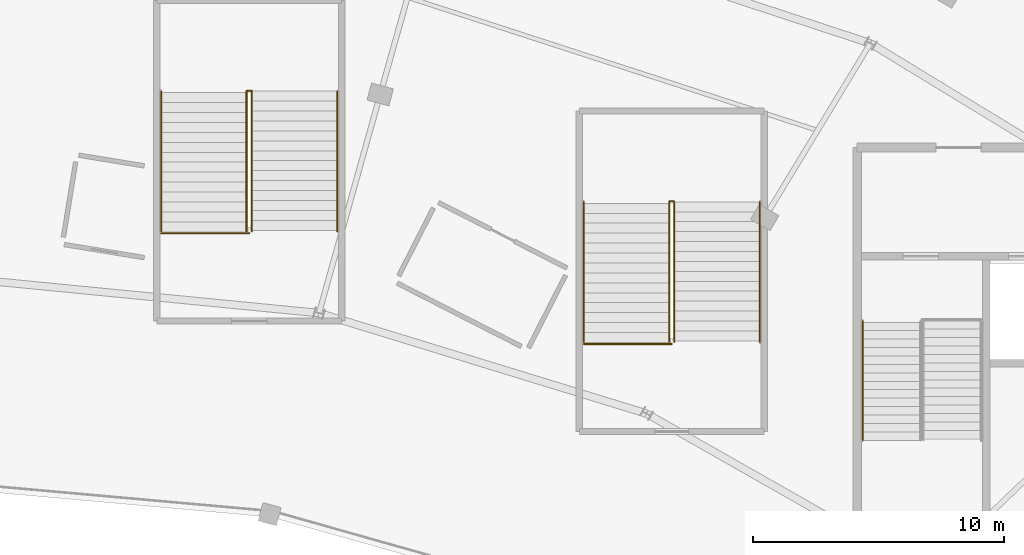
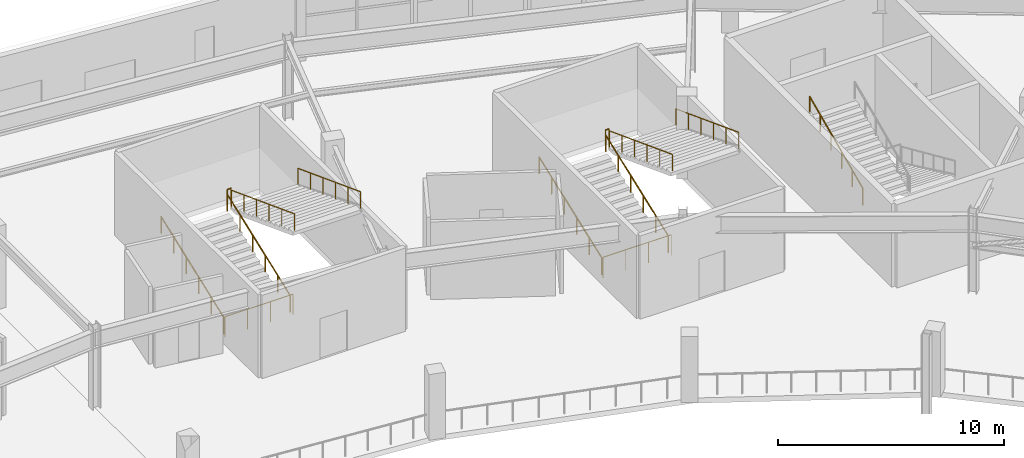
# One storey, part 117 of 123: 13 railings.
"""IFC4 building model written with IfcOpenShell, lengths in metres."""

from ifc_helpers import new_model, si_unit, direction, frame, origin, origin_2d, place, context, subcontext, project, spatial, circle, extrude, material, type_object, element, save


model = new_model("IFC4")

# Units and contexts
model_context = context("Model", 3, precision=1e-05, world=origin(), true_north=direction((0.0, 1.0)))
body_context = subcontext(model_context, "Body", "Model", "MODEL_VIEW")
ifc_project = project(units=[si_unit("LENGTHUNIT", "METRE"), si_unit("AREAUNIT", "SQUARE_METRE"), si_unit("VOLUMEUNIT", "CUBIC_METRE"), si_unit("PLANEANGLEUNIT", "RADIAN"), si_unit("MASSUNIT", "GRAM", prefix="KILO")], contexts=[model_context])

# Site, building, storey
site_placement = place(None, origin())
site = spatial("IfcSite", under=ifc_project, at=site_placement, CompositionType="ELEMENT")
building_placement = place(site_placement, origin())
building = spatial("IfcBuilding", under=site, at=building_placement, Name="Kalgoora Escarpment Arena", CompositionType="ELEMENT")
storey_placement = place(building_placement, frame((0.0, 0.0, 9.89990234375)))
storey = spatial("IfcBuildingStorey", under=building, at=storey_placement, Name="L02", CompositionType="ELEMENT", Elevation=9.89990234375)

# Railings
ifc_material_1 = material(Name="Galvanised & powdercoated tubular steel", Category="steel")
railing_type_1 = type_object("IfcRailingType", Name="RAL-GUARD-1120", PredefinedType="GUARDRAIL", material=ifc_material_1)
railing_1_placement = place(storey_placement, frame((103.5048828125, 111.47998046875, 2.25)))
element("IfcRailing", 1, at=railing_1_placement, inside=storey, type_object=railing_type_1, Name="ST11 L02 half-landing well guard", PredefinedType="GUARDRAIL", context=body_context, shape_type="SweptSolid", body=[
    extrude(circle(Radius=0.02392578125, at=origin_2d()), frame((0.0, 0.0, 1.09619140625), z_axis=(1.0, 0.0, 0.0), x_axis=(0.0, 1.0, 0.0)), (0.0, 0.0, 1.0), 0.190185546875),
    extrude(circle(Radius=0.02099609375, at=origin_2d()), origin(), (0.0, 0.0, 1.0), 1.072021484375),
    extrude(circle(Radius=0.02099609375, at=origin_2d()), frame((0.190185546875, 0.0, 0.0)), (0.0, 0.0, 1.0), 1.072021484375),
])
railing_2_placement = place(storey_placement, frame((100.110107421875, 105.81005859375, 0.0)))
element("IfcRailing", 2, at=railing_2_placement, inside=storey, type_object=railing_type_1, Name="ST11 L02 floor landing well guard", PredefinedType="GUARDRAIL", context=body_context, shape_type="SweptSolid", body=[
    extrude(circle(Radius=0.02392578125, at=origin_2d()), frame((0.0, 0.0, 1.09619140625), z_axis=(1.0, 0.0, 0.0), x_axis=(0.0, 1.0, 0.0)), (0.0, 0.0, 1.0), 3.489990234375),
    extrude(circle(Radius=0.02099609375, at=origin_2d()), origin(), (0.0, 0.0, 1.0), 1.072021484375),
    extrude(circle(Radius=0.02099609375, at=origin_2d()), frame((1.163330078125, 0.0, 0.0)), (0.0, 0.0, 1.0), 1.072021484375),
    extrude(circle(Radius=0.02099609375, at=origin_2d()), frame((2.32666015625, 0.0, 0.0)), (0.0, 0.0, 1.0), 1.072021484375),
    extrude(circle(Radius=0.02099609375, at=origin_2d()), frame((3.489990234375, 0.0, 0.0)), (0.0, 0.0, 1.0), 1.072021484375),
])
railing_3_placement = place(storey_placement, frame((120.31005859375, 107.080078125, 2.25)))
element("IfcRailing", 3, at=railing_3_placement, inside=storey, type_object=railing_type_1, Name="ST12 L02 half-landing well guard", PredefinedType="GUARDRAIL", context=body_context, shape_type="SweptSolid", body=[
    extrude(circle(Radius=0.02392578125, at=origin_2d()), frame((0.0, 0.0, 1.09619140625), z_axis=(1.0, 0.0, 0.0), x_axis=(0.0, 1.0, 0.0)), (0.0, 0.0, 1.0), 0.179931640625),
    extrude(circle(Radius=0.02099609375, at=origin_2d()), origin(), (0.0, 0.0, 1.0), 1.072021484375),
    extrude(circle(Radius=0.02099609375, at=origin_2d()), frame((0.179931640625, 0.0, 0.0)), (0.0, 0.0, 1.0), 1.072021484375),
])
railing_4_placement = place(storey_placement, frame((116.909912109375, 101.409912109375, 0.0)))
element("IfcRailing", 4, at=railing_4_placement, inside=storey, type_object=railing_type_1, Name="ST12 L02 floor landing well guard", PredefinedType="GUARDRAIL", context=body_context, shape_type="SweptSolid", body=[
    extrude(circle(Radius=0.02392578125, at=origin_2d()), frame((0.0, 0.0, 1.09619140625), z_axis=(1.0, 0.0, 0.0), x_axis=(0.0, 1.0, 0.0)), (0.0, 0.0, 1.0), 3.489990234375),
    extrude(circle(Radius=0.02099609375, at=origin_2d()), origin(), (0.0, 0.0, 1.0), 1.072021484375),
    extrude(circle(Radius=0.02099609375, at=origin_2d()), frame((1.163330078125, 0.0, 0.0)), (0.0, 0.0, 1.0), 1.072021484375),
    extrude(circle(Radius=0.02099609375, at=origin_2d()), frame((2.32666015625, 0.0, 0.0)), (0.0, 0.0, 1.0), 1.072021484375),
    extrude(circle(Radius=0.02099609375, at=origin_2d()), frame((3.489990234375, 0.0, 0.0)), (0.0, 0.0, 1.0), 1.072021484375),
])
ifc_material_2 = material(Name="Brushed stainless steel 316 handrail", Category="steel")
railing_type_2 = type_object("IfcRailingType", Name="RAL-HAND-920", PredefinedType="HANDRAIL", material=ifc_material_2)
railing_5_placement = place(storey_placement, frame((128.0, 97.590087890625, 2.360107421875)))
element("IfcRailing", 5, at=railing_5_placement, inside=storey, type_object=railing_type_2, Name="ST04 L02 pitched stair handrail F2R", PredefinedType="HANDRAIL", context=body_context, shape_type="SweptSolid", body=[
    extrude(circle(Radius=0.02392578125, at=origin_2d()), frame((0.0, 0.0, 0.89599609375), z_axis=(0.0, 0.913643874524, 0.406515523129), x_axis=(-1.0, 0.0, 0.0)), (0.0, 0.0, 1.0), 5.166015625),
    extrude(circle(Radius=0.02099609375, at=origin_2d()), origin(), (0.0, 0.0, 1.0), 0.871826171875),
    extrude(circle(Radius=0.02099609375, at=origin_2d()), frame((0.0, 0.944091796875, 0.419921875)), (0.0, 0.0, 1.0), 0.871826171875),
    extrude(circle(Radius=0.02099609375, at=origin_2d()), frame((0.0, 1.887939453125, 0.840087890625)), (0.0, 0.0, 1.0), 0.871826171875),
    extrude(circle(Radius=0.02099609375, at=origin_2d()), frame((0.0, 2.83203125, 1.260009765625)), (0.0, 0.0, 1.0), 0.871826171875),
    extrude(circle(Radius=0.02099609375, at=origin_2d()), frame((0.0, 3.77587890625, 1.68017578125)), (0.0, 0.0, 1.0), 0.871826171875),
    extrude(circle(Radius=0.02099609375, at=origin_2d()), frame((0.0, 4.719970703125, 2.10009765625)), (0.0, 0.0, 1.0), 0.871826171875),
])
for number, where, name in (
    (6, (100.10009765625, 105.889892578125, 0.110107421875), "ST11 L02 pitched stair handrail F1L"),
    (7, (103.4951171875, 105.889892578125, 0.110107421875), "ST11 L02 pitched stair handrail F1R"),
):
    element("IfcRailing", number, at=place(storey_placement, frame(where)), inside=storey, type_object=railing_type_2, Name=name, PredefinedType="HANDRAIL", context=body_context, shape_type="SweptSolid", body=[
        extrude(circle(Radius=0.02392578125, at=origin_2d()), frame((0.0, 0.0, 0.89599609375), z_axis=(0.0, 0.935492612948, 0.353346248203), x_axis=(-1.0, 0.0, 0.0)), (0.0, 0.0, 1.0), 5.943359375),
        extrude(circle(Radius=0.02099609375, at=origin_2d()), origin(), (0.0, 0.0, 1.0), 0.871826171875),
        extrude(circle(Radius=0.02099609375, at=origin_2d()), frame((0.0, 1.112060546875, 0.419921875)), (0.0, 0.0, 1.0), 0.871826171875),
        extrude(circle(Radius=0.02099609375, at=origin_2d()), frame((0.0, 2.22412109375, 0.840087890625)), (0.0, 0.0, 1.0), 0.871826171875),
        extrude(circle(Radius=0.02099609375, at=origin_2d()), frame((0.0, 3.3359375, 1.260009765625)), (0.0, 0.0, 1.0), 0.871826171875),
        extrude(circle(Radius=0.02099609375, at=origin_2d()), frame((0.0, 4.447998046875, 1.68017578125)), (0.0, 0.0, 1.0), 0.871826171875),
        extrude(circle(Radius=0.02099609375, at=origin_2d()), frame((0.0, 5.56005859375, 2.10009765625)), (0.0, 0.0, 1.0), 0.871826171875),
    ])
for number, where, name in (
    (8, (103.705078125, 111.449951171875, 2.360107421875), "ST11 L02 pitched stair handrail F2L"),
    (9, (107.10009765625, 111.449951171875, 2.360107421875), "ST11 L02 pitched stair handrail F2R"),
):
    element("IfcRailing", number, at=place(storey_placement, frame(where)), inside=storey, type_object=railing_type_2, Name=name, PredefinedType="HANDRAIL", context=body_context, shape_type="SweptSolid", body=[
        extrude(circle(Radius=0.02392578125, at=origin_2d()), frame((0.0, 0.0, 0.89599609375), z_axis=(0.0, -0.935492612948, 0.353346248203), x_axis=(1.0, 0.0, 0.0)), (0.0, 0.0, 1.0), 5.943359375),
        extrude(circle(Radius=0.02099609375, at=origin_2d()), origin(), (0.0, 0.0, 1.0), 0.871826171875),
        extrude(circle(Radius=0.02099609375, at=origin_2d()), frame((0.0, -1.112060546875, 0.419921875)), (0.0, 0.0, 1.0), 0.871826171875),
        extrude(circle(Radius=0.02099609375, at=origin_2d()), frame((0.0, -2.22412109375, 0.840087890625)), (0.0, 0.0, 1.0), 0.871826171875),
        extrude(circle(Radius=0.02099609375, at=origin_2d()), frame((0.0, -3.3359375, 1.260009765625)), (0.0, 0.0, 1.0), 0.871826171875),
        extrude(circle(Radius=0.02099609375, at=origin_2d()), frame((0.0, -4.447998046875, 1.68017578125)), (0.0, 0.0, 1.0), 0.871826171875),
        extrude(circle(Radius=0.02099609375, at=origin_2d()), frame((0.0, -5.56005859375, 2.10009765625)), (0.0, 0.0, 1.0), 0.871826171875),
    ])
for number, where, name in (
    (10, (116.89990234375, 101.489990234375, 0.110107421875), "ST12 L02 pitched stair handrail F1L"),
    (11, (120.300048828125, 101.489990234375, 0.110107421875), "ST12 L02 pitched stair handrail F1R"),
):
    element("IfcRailing", number, at=place(storey_placement, frame(where)), inside=storey, type_object=railing_type_2, Name=name, PredefinedType="HANDRAIL", context=body_context, shape_type="SweptSolid", body=[
        extrude(circle(Radius=0.02392578125, at=origin_2d()), frame((0.0, 0.0, 0.89599609375), z_axis=(0.0, 0.935492612948, 0.353346248203), x_axis=(-1.0, 0.0, 0.0)), (0.0, 0.0, 1.0), 5.943359375),
        extrude(circle(Radius=0.02099609375, at=origin_2d()), origin(), (0.0, 0.0, 1.0), 0.871826171875),
        extrude(circle(Radius=0.02099609375, at=origin_2d()), frame((0.0, 1.112060546875, 0.419921875)), (0.0, 0.0, 1.0), 0.871826171875),
        extrude(circle(Radius=0.02099609375, at=origin_2d()), frame((0.0, 2.22412109375, 0.840087890625)), (0.0, 0.0, 1.0), 0.871826171875),
        extrude(circle(Radius=0.02099609375, at=origin_2d()), frame((0.0, 3.3359375, 1.260009765625)), (0.0, 0.0, 1.0), 0.871826171875),
        extrude(circle(Radius=0.02099609375, at=origin_2d()), frame((0.0, 4.447998046875, 1.68017578125)), (0.0, 0.0, 1.0), 0.871826171875),
        extrude(circle(Radius=0.02099609375, at=origin_2d()), frame((0.0, 5.56005859375, 2.10009765625)), (0.0, 0.0, 1.0), 0.871826171875),
    ])
for number, where, name in (
    (12, (120.5, 107.050048828125, 2.360107421875), "ST12 L02 pitched stair handrail F2L"),
    (13, (123.89990234375, 107.050048828125, 2.360107421875), "ST12 L02 pitched stair handrail F2R"),
):
    element("IfcRailing", number, at=place(storey_placement, frame(where)), inside=storey, type_object=railing_type_2, Name=name, PredefinedType="HANDRAIL", context=body_context, shape_type="SweptSolid", body=[
        extrude(circle(Radius=0.02392578125, at=origin_2d()), frame((0.0, 0.0, 0.89599609375), z_axis=(0.0, -0.935492612948, 0.353346248203), x_axis=(1.0, 0.0, 0.0)), (0.0, 0.0, 1.0), 5.943359375),
        extrude(circle(Radius=0.02099609375, at=origin_2d()), origin(), (0.0, 0.0, 1.0), 0.871826171875),
        extrude(circle(Radius=0.02099609375, at=origin_2d()), frame((0.0, -1.112060546875, 0.419921875)), (0.0, 0.0, 1.0), 0.871826171875),
        extrude(circle(Radius=0.02099609375, at=origin_2d()), frame((0.0, -2.22412109375, 0.840087890625)), (0.0, 0.0, 1.0), 0.871826171875),
        extrude(circle(Radius=0.02099609375, at=origin_2d()), frame((0.0, -3.3359375, 1.260009765625)), (0.0, 0.0, 1.0), 0.871826171875),
        extrude(circle(Radius=0.02099609375, at=origin_2d()), frame((0.0, -4.447998046875, 1.68017578125)), (0.0, 0.0, 1.0), 0.871826171875),
        extrude(circle(Radius=0.02099609375, at=origin_2d()), frame((0.0, -5.56005859375, 2.10009765625)), (0.0, 0.0, 1.0), 0.871826171875),
    ])

save(model, "model.ifc")
